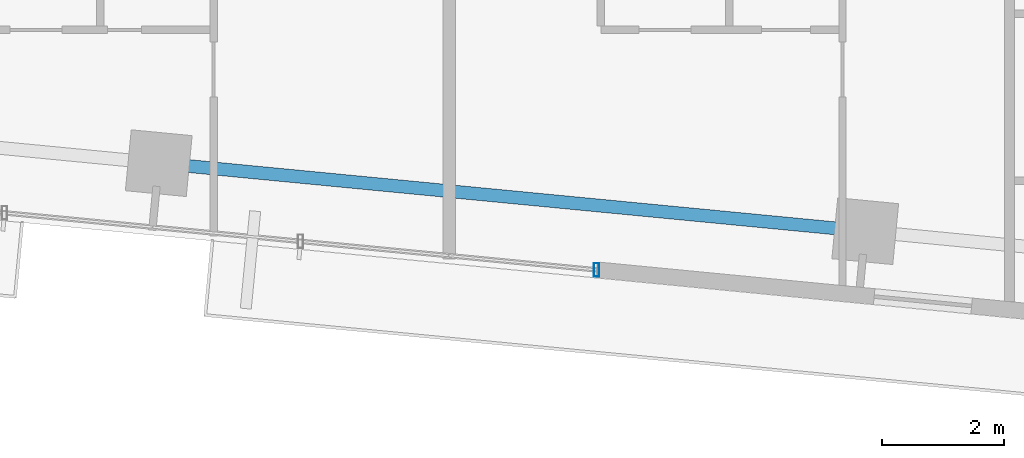
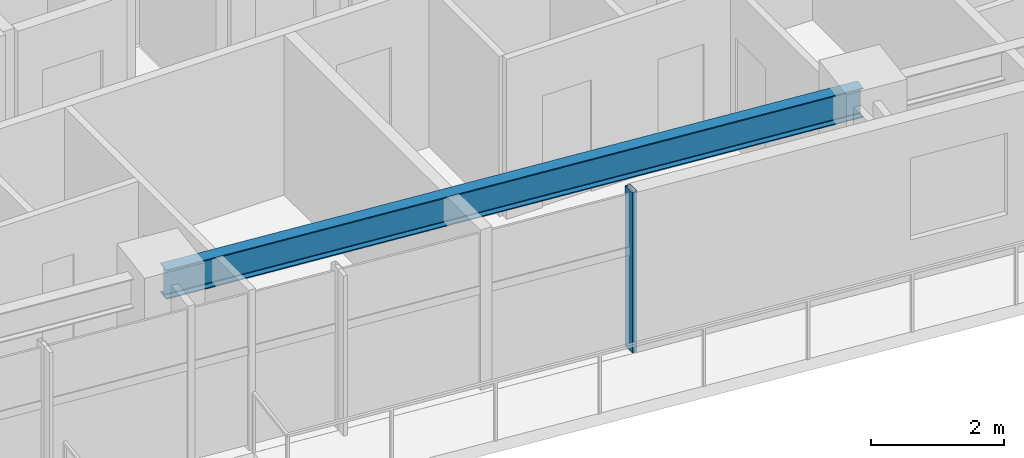
# One storey, part 9 of 20: 1 beam, 1 member, 1 element without a shape of its own.
"""IFC4 building model written with IfcOpenShell, lengths in metres."""

from ifc_helpers import new_model, si_unit, direction, frame, origin, origin_2d, place, context, subcontext, project, spatial, hollow_rectangle, i_section, extrude, source, transform, mapped, material, material_profile, profile_set, type_object, type_shapes, element, aggregate, save


model = new_model("IFC4")

# Units and contexts
model_context = context("Model", 3, precision=1e-05, world=origin(), true_north=direction((0.0, 1.0)))
body_context = subcontext(model_context, "Body", "Model", "MODEL_VIEW")
ifc_project = project(units=[si_unit("LENGTHUNIT", "METRE"), si_unit("AREAUNIT", "SQUARE_METRE"), si_unit("VOLUMEUNIT", "CUBIC_METRE"), si_unit("PLANEANGLEUNIT", "RADIAN"), si_unit("MASSUNIT", "GRAM", prefix="KILO")], contexts=[model_context])

# Site, building, storey
site_placement = place(None, origin())
site = spatial("IfcSite", under=ifc_project, at=site_placement, CompositionType="ELEMENT")
building_placement = place(site_placement, origin())
building = spatial("IfcBuilding", under=site, at=building_placement, Name="Astriad Promenade Condominiums", CompositionType="ELEMENT")
storey_placement = place(building_placement, frame((0.0, 0.0, 131.0)))
storey = spatial("IfcBuildingStorey", under=building, at=storey_placement, Name="L37", CompositionType="ELEMENT", Elevation=131.0)

# Beam
ifc_material_1 = material(Name="Steel ASTM A992 Grade 50", Category="steel")
ifc_material_profile_1 = material_profile(ifc_material_1, i_section(OverallWidth=0.210693359375, OverallDepth=0.53955078125, WebThickness=0.01171875, FlangeThickness=0.018798828125, FilletRadius=0.0166015625, at=origin_2d()), Name="W21X73")
ifc_profile_set_1 = profile_set([ifc_material_profile_1], Name="Steel ASTM A992 Grade 50")
beam_type = type_object("IfcBeamType", Name="STEEL SPANDREL BEAM W21X73", PredefinedType="SPANDREL", material=ifc_profile_set_1)
shared_shape_1 = source(origin(), body_context, "Body", "SweptSolid", [
    extrude(i_section(OverallWidth=0.210693359375, OverallDepth=0.53955078125, WebThickness=0.01171875, FlangeThickness=0.018798828125, FilletRadius=0.0166015625, at=origin_2d()), origin(), (0.0, 0.0, 1.0), 11.52001953125),
])
type_shapes(beam_type, [shared_shape_1])
beam_placement = place(storey_placement, frame((32.013671875, 8.2158203125, 2.67041015625), z_axis=(0.995397412028, -0.095833147335, 0.0), x_axis=(0.095833147335, 0.995397412028, 0.0)))
element("IfcBeam", 1, at=beam_placement, inside=storey, type_object=beam_type, Name="Perimeter Spandrel Beam SP-S3-L37", PredefinedType="SPANDREL", context=body_context, shape_type="MappedRepresentation", body=[
    mapped(shared_shape_1, transform((0.0, 0.0, 0.0), scale=1.0)),
])

# Curtain wall, member
ifc_material_2 = material(Name="Anodised aluminium Black Dark Glass Unitised", Category="aluminium")
curtain_wall_type = type_object("IfcCurtainWallType", Name="CW-B34-DARK", PredefinedType="USERDEFINED", material=ifc_material_2)
curtain_wall_placement = place(storey_placement, origin())
curtain_wall = element("IfcCurtainWall", 2, at=curtain_wall_placement, inside=storey, type_object=curtain_wall_type, Name="CW-L37-S", ObjectType="UNITISED_CURTAIN_WALL", PredefinedType="USERDEFINED")
ifc_material_3 = material(Name="Anodised aluminium 6063-T6 Black", Category="aluminium")
ifc_material_profile_2 = material_profile(ifc_material_3, hollow_rectangle(XDim=0.0849609375, YDim=0.219970703125, WallThickness=0.0048828125, at=origin_2d()), Name="ALU-MUL-85X220")
ifc_profile_set_2 = profile_set([ifc_material_profile_2], Name="Anodised aluminium 6063-T6 Black")
member_type = type_object("IfcMemberType", Name="MUL-ALU-MUL-85X220", PredefinedType="MULLION", material=ifc_profile_set_2)
shared_shape_2 = source(origin(), body_context, "Body", "SweptSolid", [
    extrude(hollow_rectangle(XDim=0.0849609375, YDim=0.219970703125, WallThickness=0.0048828125, at=origin_2d()), origin(), (0.0, 0.0, 1.0), 2.93994140625),
])
type_shapes(member_type, [shared_shape_2])
member_placement = place(storey_placement, frame((39.129638671875, 6.475830078125, 0.0), z_axis=(0.0, 0.0, 1.0), x_axis=(1.0, 0.0, 0.0)))
member = element("IfcMember", 3, at=member_placement, type_object=member_type, Name="CW-L37-S-MUL-00", PredefinedType="MULLION", context=body_context, shape_type="MappedRepresentation", body=[
    mapped(shared_shape_2, transform((0.0, 0.0, 0.0), scale=1.0)),
])
aggregate(curtain_wall, [member])

save(model, "model.ifc")
